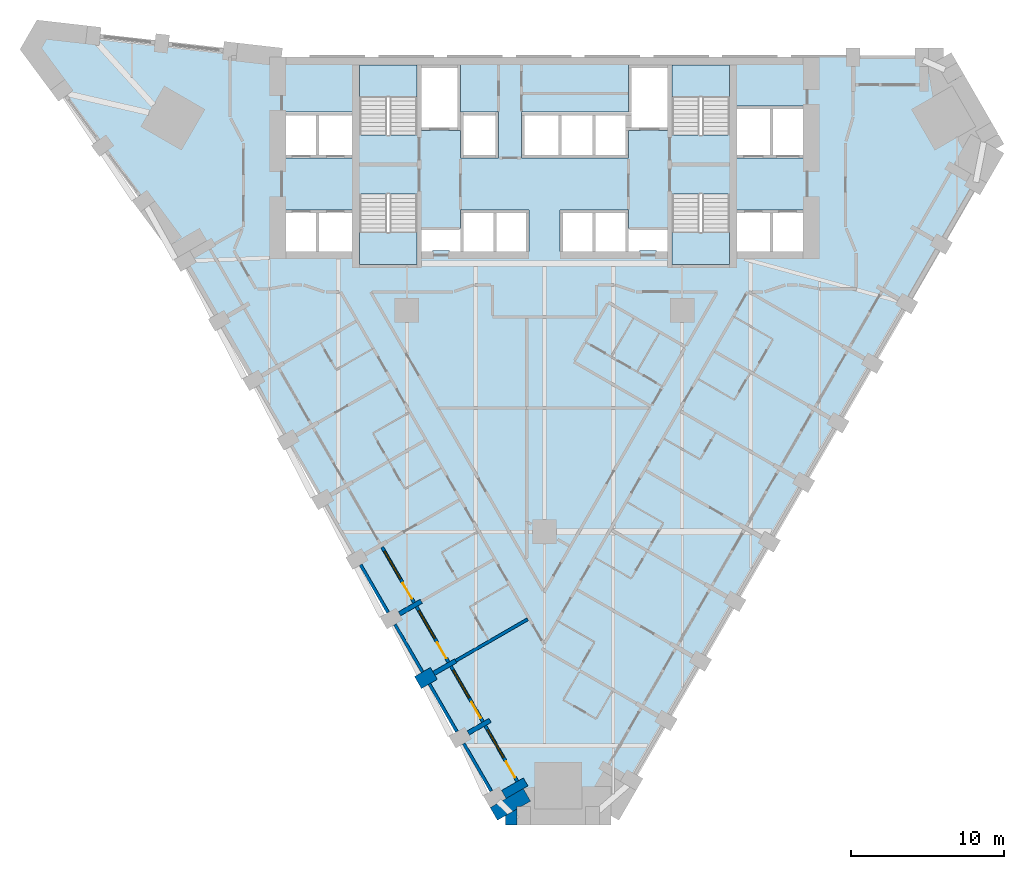
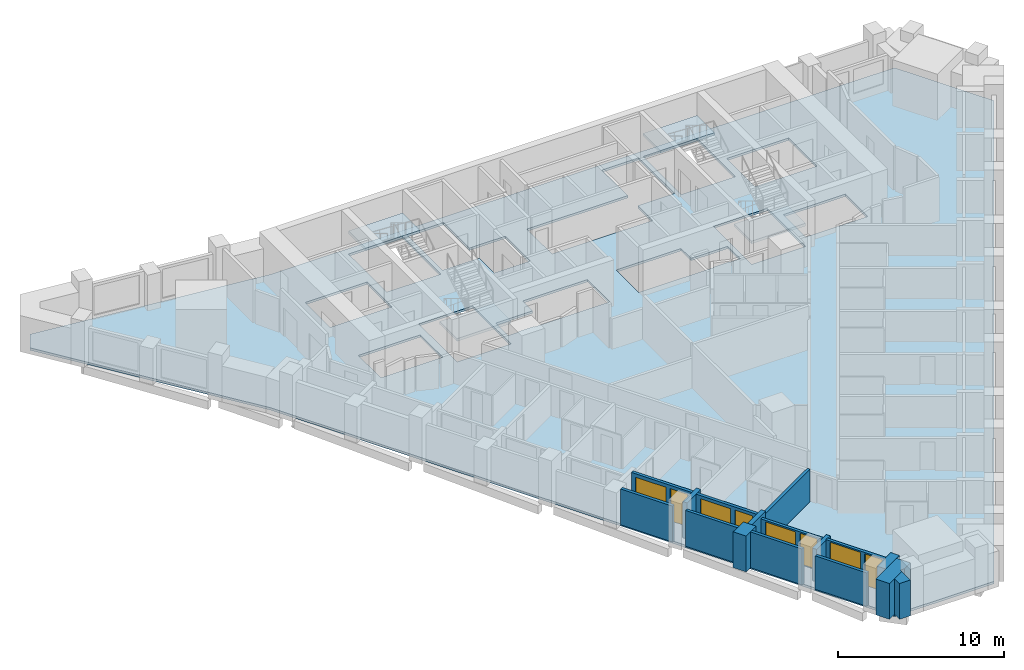
# One storey, part 2 of 12: 16 walls, 5 slabs, 4 doors, 4 windows, 8 openings, 4 elements without a shape of their own.
"""IFC4 building model written with IfcOpenShell, lengths in metres."""

from ifc_helpers import new_model, si_unit, direction, frame, frame_2d, origin, place, context, subcontext, project, spatial, polyline, rectangle, outline, extrude, material, layer, layer_set, type_object, element, fill, aggregate, save


model = new_model("IFC4")

# Units and contexts
model_context = context("Model", 3, precision=1e-05, world=origin(), true_north=direction((0.0, 1.0)))
body_context = subcontext(model_context, "Body", "Model", "MODEL_VIEW")
ifc_project = project(units=[si_unit("LENGTHUNIT", "METRE"), si_unit("AREAUNIT", "SQUARE_METRE"), si_unit("VOLUMEUNIT", "CUBIC_METRE"), si_unit("PLANEANGLEUNIT", "RADIAN"), si_unit("MASSUNIT", "GRAM", prefix="KILO")], contexts=[model_context])

# Site, building, storey
site_placement = place(None, origin())
site = spatial("IfcSite", under=ifc_project, at=site_placement, CompositionType="ELEMENT")
building_placement = place(site_placement, origin())
building = spatial("IfcBuilding", under=site, at=building_placement, Name="Calabash Gate Tower", CompositionType="ELEMENT")
storey_placement = place(building_placement, frame((0.0, 0.0, 76.60009765625)))
storey = spatial("IfcBuildingStorey", under=building, at=storey_placement, Name="L15", CompositionType="ELEMENT", Elevation=76.60009765625)

# Slab
ifc_material_1 = material(Name="Concrete C40/50", Category="concrete")
ifc_layer_1 = layer(ifc_material_1, 0.169921875)
ifc_layer_set_1 = layer_set([ifc_layer_1], Name="Composite floor slab 170 Concrete C40/50")
slab_type_1 = type_object("IfcSlabType", Name="Composite floor slab 170 Concrete C40/50", PredefinedType="FLOOR", material=ifc_layer_set_1)
slab_1_placement = place(storey_placement, frame((0.0, 0.0, -0.170166015625)))
element("IfcSlab", 1, at=slab_1_placement, inside=storey, type_object=slab_type_1, Name="Floor slab L15", PredefinedType="FLOOR", context=body_context, shape_type="SweptSolid", body=[
    extrude(outline(polyline([(-24.2099609375, 6.92822265625), (-33.6025390625, 19.606201171875), (-32.8857421875, 20.84765625), (-17.2099609375, 19.052490234375), (26.09375, 19.052490234375), (29.546875, 13.071533203125), (4.34814453125, -30.573974609375), (-2.55810546875, -30.573974609375), (-24.2099609375, 6.92822265625)]), holes=[polyline([(-5.5, 9.052490234375), (-5.5, 7.8525390625), (-8.050048828125, 7.8525390625), (-8.050048828125, 6.3525390625), (-7.324951171875, 6.3525390625), (-7.324951171875, 6.402587890625), (-6.22509765625, 6.402587890625), (-6.22509765625, 6.3525390625), (-5.5, 6.3525390625), (-3.25, 6.3525390625), (-1.0, 6.3525390625), (-1.0, 9.052490234375), (-3.25, 9.052490234375), (-5.5, 9.052490234375)]), polyline([(5.5, 9.052490234375), (3.25, 9.052490234375), (1.0, 9.052490234375), (1.0, 6.3525390625), (3.25, 6.3525390625), (5.5, 6.3525390625), (6.22509765625, 6.3525390625), (6.22509765625, 6.402587890625), (7.324951171875, 6.402587890625), (7.324951171875, 6.3525390625), (8.050048828125, 6.3525390625), (8.050048828125, 7.8525390625), (5.5, 7.8525390625), (5.5, 9.052490234375)]), polyline([(-5.5, 14.252685546875), (-5.5, 12.45263671875), (-3.0, 12.45263671875), (-3.0, 15.45263671875), (-5.5, 15.45263671875), (-5.5, 18.552490234375), (-8.050048828125, 18.552490234375), (-8.050048828125, 14.252685546875), (-5.5, 14.252685546875)]), polyline([(8.050048828125, 18.552490234375), (5.5, 18.552490234375), (5.5, 15.45263671875), (3.25, 15.45263671875), (1.0, 15.45263671875), (-1.5, 15.45263671875), (-1.5, 12.45263671875), (1.0, 12.45263671875), (3.25, 12.45263671875), (5.5, 12.45263671875), (5.5, 14.252685546875), (8.050048828125, 14.252685546875), (8.050048828125, 18.552490234375)]), polyline([(-12.60009765625, 6.3525390625), (-12.60009765625, 9.052490234375), (-14.85009765625, 9.052490234375), (-16.89990234375, 9.052490234375), (-16.89990234375, 6.3525390625), (-14.85009765625, 6.3525390625), (-12.60009765625, 6.3525390625)]), polyline([(-14.85009765625, 12.45263671875), (-12.60009765625, 12.45263671875), (-12.60009765625, 15.45263671875), (-14.85009765625, 15.45263671875), (-16.89990234375, 15.45263671875), (-16.89990234375, 12.45263671875), (-14.85009765625, 12.45263671875)]), polyline([(14.85009765625, 6.3525390625), (16.89990234375, 6.3525390625), (16.89990234375, 9.052490234375), (14.85009765625, 9.052490234375), (12.60009765625, 9.052490234375), (12.60009765625, 6.3525390625), (14.85009765625, 6.3525390625)]), polyline([(14.85009765625, 12.45263671875), (16.89990234375, 12.45263671875), (16.89990234375, 15.8525390625), (14.85009765625, 15.8525390625), (12.60009765625, 15.8525390625), (12.60009765625, 12.45263671875), (14.85009765625, 12.45263671875)]), polyline([(-8.35009765625, 18.552490234375), (-12.10009765625, 18.552490234375), (-12.10009765625, 13.95263671875), (-8.35009765625, 13.95263671875), (-8.35009765625, 18.552490234375)]), polyline([(-12.10009765625, 10.1025390625), (-12.10009765625, 5.502685546875), (-8.35009765625, 5.502685546875), (-8.35009765625, 10.1025390625), (-12.10009765625, 10.1025390625)]), polyline([(8.35009765625, 13.95263671875), (12.10009765625, 13.95263671875), (12.10009765625, 18.552490234375), (8.35009765625, 18.552490234375), (8.35009765625, 13.95263671875)]), polyline([(12.10009765625, 5.502685546875), (12.10009765625, 10.1025390625), (8.35009765625, 10.1025390625), (8.35009765625, 5.502685546875), (12.10009765625, 5.502685546875)])]), origin(), (0.0, 0.0, 1.0), 0.170166015625),
])

# Stair, slab
ifc_material_2 = material(Name="Concrete C40/50", Category="concrete")
stair_type = type_object("IfcStairType", Name="Exit stair 20 risers of 170 mm", PredefinedType="HALF_TURN_STAIR", material=ifc_material_2)
stair_1_placement = place(storey_placement, origin())
stair_1 = element("IfcStair", 2, at=stair_1_placement, inside=storey, type_object=stair_type, Name="L15 Exit stair ST1", PredefinedType="HALF_TURN_STAIR")
ifc_material_3 = material(Name="Concrete C40/50", Category="concrete")
ifc_layer_2 = layer(ifc_material_3, 0.199951171875)
ifc_layer_set_2 = layer_set([ifc_layer_2], Name="Stair landing SL200")
slab_type_2 = type_object("IfcSlabType", Name="Stair landing SL200", PredefinedType="LANDING", material=ifc_layer_set_2)
slab_2_placement = place(storey_placement, frame((0.0, 0.0, 1.5)))
slab_2 = element("IfcSlab", 3, at=slab_2_placement, type_object=slab_type_2, Name="ST1 landing 1", PredefinedType="LANDING", context=body_context, shape_type="SweptSolid", body=[
    extrude(outline(polyline([(-8.35009765625, 16.463623046875), (-8.35009765625, 18.552490234375), (-12.10009765625, 18.552490234375), (-12.10009765625, 16.463623046875), (-8.35009765625, 16.463623046875)])), origin(), (0.0, 0.0, 1.0), 0.199951171875),
])
aggregate(stair_1, [slab_2])

stair_2_placement = place(storey_placement, origin())
stair_2 = element("IfcStair", 4, at=stair_2_placement, inside=storey, type_object=stair_type, Name="L15 Exit stair ST2", PredefinedType="HALF_TURN_STAIR")
slab_3_placement = place(storey_placement, frame((0.0, 0.0, 1.5)))
slab_3 = element("IfcSlab", 5, at=slab_3_placement, type_object=slab_type_2, Name="ST2 landing 1", PredefinedType="LANDING", context=body_context, shape_type="SweptSolid", body=[
    extrude(outline(polyline([(-12.10009765625, 7.591552734375), (-12.10009765625, 5.502685546875), (-8.35009765625, 5.502685546875), (-8.35009765625, 7.591552734375), (-12.10009765625, 7.591552734375)])), origin(), (0.0, 0.0, 1.0), 0.199951171875),
])
aggregate(stair_2, [slab_3])

stair_3_placement = place(storey_placement, origin())
stair_3 = element("IfcStair", 6, at=stair_3_placement, inside=storey, type_object=stair_type, Name="L15 Exit stair ST3", PredefinedType="HALF_TURN_STAIR")
slab_4_placement = place(storey_placement, frame((0.0, 0.0, 1.5)))
slab_4 = element("IfcSlab", 7, at=slab_4_placement, type_object=slab_type_2, Name="ST3 landing 1", PredefinedType="LANDING", context=body_context, shape_type="SweptSolid", body=[
    extrude(outline(polyline([(12.10009765625, 16.463623046875), (12.10009765625, 18.552490234375), (8.35009765625, 18.552490234375), (8.35009765625, 16.463623046875), (12.10009765625, 16.463623046875)])), origin(), (0.0, 0.0, 1.0), 0.199951171875),
])
aggregate(stair_3, [slab_4])

stair_4_placement = place(storey_placement, origin())
stair_4 = element("IfcStair", 8, at=stair_4_placement, inside=storey, type_object=stair_type, Name="L15 Exit stair ST4", PredefinedType="HALF_TURN_STAIR")
slab_5_placement = place(storey_placement, frame((0.0, 0.0, 1.5)))
slab_5 = element("IfcSlab", 9, at=slab_5_placement, type_object=slab_type_2, Name="ST4 landing 1", PredefinedType="LANDING", context=body_context, shape_type="SweptSolid", body=[
    extrude(outline(polyline([(8.35009765625, 7.591552734375), (8.35009765625, 5.502685546875), (12.10009765625, 5.502685546875), (12.10009765625, 7.591552734375), (8.35009765625, 7.591552734375)])), origin(), (0.0, 0.0, 1.0), 0.199951171875),
])
aggregate(stair_4, [slab_5])

# Walls
ifc_material_4 = material(Name="Terracotta brick masonry, exposed face", Category="masonry")
ifc_layer_3 = layer(ifc_material_4, 2.5)
ifc_layer_set_3 = layer_set([ifc_layer_3], Name="Brick corner mass wall 2500")
wall_type_1 = type_object("IfcWallType", Name="Brick corner mass wall 2500", PredefinedType="SOLIDWALL", material=ifc_layer_set_3)
wall_1_placement = place(storey_placement, origin())
element("IfcWall", 10, at=wall_1_placement, inside=storey, type_object=wall_type_1, Name="Brick corner pier S04 2a", PredefinedType="SOLIDWALL", context=body_context, shape_type="SweptSolid", body=[
    extrude(outline(polyline([(-0.912841796875, -29.6240234375), (-1.388671875, -28.799560546875), (-3.5537109375, -30.049560546875), (-3.077880859375, -30.8740234375), (-1.802978515625, -30.137939453125), (-1.802978515625, -29.97412109375), (-1.51904296875, -29.97412109375), (-0.912841796875, -29.6240234375)])), origin(), (0.0, 0.0, 1.0), 2.6298828125),
])
wall_2_placement = place(storey_placement, origin())
element("IfcWall", 11, at=wall_2_placement, inside=storey, type_object=wall_type_1, Name="Brick corner pier S04 2ba", PredefinedType="SOLIDWALL", context=body_context, shape_type="SweptSolid", body=[
    extrude(outline(polyline([(-2.55810546875, -30.573974609375), (-2.55810546875, -31.173828125), (-1.802978515625, -31.173828125), (-1.802978515625, -30.137939453125), (-2.55810546875, -30.573974609375)])), origin(), (0.0, 0.0, 1.0), 2.6298828125),
])
ifc_material_5 = material(Name="Terracotta brick masonry, exposed face", Category="masonry")
ifc_layer_4 = layer(ifc_material_5, 1.199951171875)
ifc_layer_set_4 = layer_set([ifc_layer_4], Name="Brick end wall 1200")
wall_type_2 = type_object("IfcWallType", Name="Brick end wall 1200", PredefinedType="SOLIDWALL", material=ifc_layer_set_4)
wall_3_placement = place(storey_placement, frame((-7.239501953125, -21.265625, 0.0), z_axis=(0.0, 0.0, 1.0), x_axis=(-0.866006032174, -0.500033551112, 0.0)))
element("IfcWall", 12, at=wall_3_placement, inside=storey, type_object=wall_type_2, Name="Brick pier S04 SW0.7", PredefinedType="SOLIDWALL", context=body_context, shape_type="SweptSolid", body=[
    extrude(rectangle(XDim=1.2001953125, YDim=0.89990234375, at=frame_2d((0.60009765625, 0.0))), origin(), (0.0, 0.0, 1.0), 2.6298828125),
])
ifc_material_6 = material(Name="Terracotta brick masonry, exposed face", Category="masonry")
ifc_layer_5 = layer(ifc_material_6, 0.300048828125)
ifc_layer_set_5 = layer_set([ifc_layer_5], Name="Brick loggia cheek wall 300")
wall_type_3 = type_object("IfcWallType", Name="Brick loggia cheek wall 300", PredefinedType="SOLIDWALL", material=ifc_layer_set_5)
wall_4_placement = place(storey_placement, frame((-9.489501953125, -17.36865234375, 0.0), z_axis=(0.0, 0.0, 1.0), x_axis=(0.865976140824, 0.500085316245, 0.0)))
element("IfcWall", 13, at=wall_4_placement, inside=storey, type_object=wall_type_3, Name="Loggia cheek S04 SW0.6", PredefinedType="SOLIDWALL", context=body_context, shape_type="SweptSolid", body=[
    extrude(rectangle(XDim=1.650146484375, YDim=0.300048828125, at=frame_2d((0.8251953125, 0.0))), origin(), (0.0, 0.0, 1.0), 2.64990234375),
])
wall_5_placement = place(storey_placement, frame((-5.810546875, -20.440673828125, 0.0), z_axis=(0.0, 0.0, 1.0), x_axis=(-0.866040211805, -0.499974350878, 0.0)))
element("IfcWall", 14, at=wall_5_placement, inside=storey, type_object=wall_type_3, Name="Loggia cheek S04 SW0.7", PredefinedType="SOLIDWALL", context=body_context, shape_type="SweptSolid", body=[
    extrude(rectangle(XDim=1.64990234375, YDim=0.300048828125, at=frame_2d((0.824951171875, 0.0))), origin(), (0.0, 0.0, 1.0), 2.6279296875),
])
wall_6_placement = place(storey_placement, frame((-3.560546875, -24.337890625, 0.0), z_axis=(0.0, 0.0, 1.0), x_axis=(-0.866040211805, -0.499974350878, 0.0)))
element("IfcWall", 15, at=wall_6_placement, inside=storey, type_object=wall_type_3, Name="Loggia cheek S04 SW0.8", PredefinedType="SOLIDWALL", context=body_context, shape_type="SweptSolid", body=[
    extrude(rectangle(XDim=1.64990234375, YDim=0.300048828125, at=frame_2d((0.824951171875, 0.0))), origin(), (0.0, 0.0, 1.0), 2.384033203125),
])
wall_7_placement = place(storey_placement, frame((-2.66455078125, -29.189697265625, 0.0), z_axis=(0.0, 0.0, 1.0), x_axis=(0.866040211805, 0.499974350878, 0.0)))
element("IfcWall", 16, at=wall_7_placement, inside=storey, type_object=wall_type_3, Name="Loggia cheek S04 SW0.9", PredefinedType="SOLIDWALL", context=body_context, shape_type="SweptSolid", body=[
    extrude(rectangle(XDim=1.64990234375, YDim=0.60009765625, at=frame_2d((0.824951171875, 0.0))), origin(), (0.0, 0.0, 1.0), 2.6298828125),
])
ifc_material_7 = material(Name="Gypsum board on steel studs, mineral wool", Category="steel")
ifc_layer_6 = layer(ifc_material_7, 0.199951171875)
ifc_layer_set_6 = layer_set([ifc_layer_6], Name="Partition 200 gypsum board EI 60")
wall_type_4 = type_object("IfcWallType", Name="Partition 200 gypsum board EI 60", PredefinedType="PARTITIONING", material=ifc_layer_set_6)
wall_8_placement = place(storey_placement, frame((-5.810302734375, -20.441162109375, 0.0), z_axis=(0.0, 0.0, 1.0), x_axis=(0.866020710281, 0.500008129298, 0.0)))
element("IfcWall", 17, at=wall_8_placement, inside=storey, type_object=wall_type_4, Name="Partition", PredefinedType="PARTITIONING", context=body_context, shape_type="SweptSolid", body=[
    extrude(rectangle(XDim=5.44970703125, YDim=0.199951171875, at=frame_2d((2.724853515625, 0.0))), origin(), (0.0, 0.0, 1.0), 2.384033203125),
])
ifc_material_8 = material(Name="Terracotta brick masonry, perforated", Category="masonry")
ifc_layer_7 = layer(ifc_material_8, 0.199951171875)
ifc_layer_set_7 = layer_set([ifc_layer_7], Name="Terracotta jaali screen B")
wall_type_5 = type_object("IfcWallType", Name="Terracotta jaali screen B", PredefinedType="SOLIDWALL", material=ifc_layer_set_7)
for number, where, z_axis, x_axis, name in (
    (18, (-12.0341796875, -14.1611328125, 0.0), (0.0, 0.0, 1.0), (0.500012057535, -0.866018442252, 0.0), "SCREEN B S04 SW0.6"),
    (19, (-9.7841796875, -18.058349609375, 0.0), (0.0, 0.0, 1.0), (0.500012057535, -0.866018442252, 0.0), "SCREEN B S04 SW0.7"),
    (20, (-7.5341796875, -21.955322265625, 0.0), (0.0, 0.0, 1.0), (0.500012057535, -0.866018442252, 0.0), "SCREEN B S04 SW0.8"),
):
    element("IfcWall", number, at=place(storey_placement, frame(where, z_axis=z_axis, x_axis=x_axis)), inside=storey, type_object=wall_type_5, Name=name, PredefinedType="SOLIDWALL", context=body_context, shape_type="SweptSolid", body=[
        extrude(rectangle(XDim=3.60009765625, YDim=0.199951171875, at=frame_2d((1.800048828125, 0.0))), origin(), (0.0, 0.0, 1.0), 2.6298828125),
    ])
wall_9_placement = place(storey_placement, frame((-5.2841796875, -25.8525390625, 0.0), z_axis=(0.0, 0.0, 1.0), x_axis=(0.500012057535, -0.866018442252, 0.0)))
element("IfcWall", 21, at=wall_9_placement, inside=storey, type_object=wall_type_5, Name="SCREEN B S04 SW0.9", PredefinedType="SOLIDWALL", context=body_context, shape_type="SweptSolid", body=[
    extrude(rectangle(XDim=3.60009765625, YDim=0.199951171875, at=frame_2d((1.800048828125, 0.0))), origin(), (0.0, 0.0, 1.0), 2.449951171875),
])

# Wall, openings, door, window
ifc_material_9 = material(Name="Aluminium framed window wall with insulated spandrel", Category="aluminium")
ifc_layer_8 = layer(ifc_material_9, 0.199951171875)
ifc_layer_set_8 = layer_set([ifc_layer_8], Name="Window wall 200")
wall_type_6 = type_object("IfcWallType", Name="Window wall 200", PredefinedType="ELEMENTEDWALL", material=ifc_layer_set_8)
wall_10_placement = place(storey_placement, frame((-10.625244140625, -13.001220703125, 0.0), z_axis=(0.0, 0.0, 1.0), x_axis=(0.499958946799, -0.866049104564, 0.0)))
wall_10 = element("IfcWall", 22, at=wall_10_placement, inside=storey, type_object=wall_type_6, Name="Window wall S04 SW0.6", PredefinedType="ELEMENTEDWALL", context=body_context, shape_type="SweptSolid", body=[
    extrude(rectangle(XDim=4.199951171875, YDim=0.199951171875, at=frame_2d((2.10009765625, 0.0))), origin(), (0.0, 0.0, 1.0), 2.64990234375),
])
opening_1_placement = place(wall_10_placement, frame((0.300048828125, 0.0, 0.60009765625)))
opening_1 = element("IfcOpeningElement", 23, at=opening_1_placement, cuts=wall_10, Name="Opening HW1", PredefinedType="OPENING", context=body_context, shape_type="SweptSolid", body=[
    extrude(rectangle(XDim=2.10009765625, YDim=1.800048828125, at=frame_2d((1.050048828125, 0.89990234375))), frame((0.0, 0.10986328125, 0.0), z_axis=(0.0, -1.0, 0.0), x_axis=(1.0, 0.0, 0.0)), (0.0, 0.0, 1.0), 0.219970703125),
])
opening_2_placement = place(wall_10_placement, frame((2.699951171875, 0.0, 0.0)))
opening_2 = element("IfcOpeningElement", 24, at=opening_2_placement, cuts=wall_10, Name="Opening H4-029", PredefinedType="OPENING", context=body_context, shape_type="SweptSolid", body=[
    extrude(rectangle(XDim=1.199951171875, YDim=2.39990234375, at=frame_2d((0.60009765625, 1.199951171875))), frame((0.0, 0.10986328125, 0.0), z_axis=(0.0, -1.0, 0.0), x_axis=(1.0, 0.0, 0.0)), (0.0, 0.0, 1.0), 0.219970703125),
])
ifc_material_10 = material(Name="Anodised aluminium frame, bronze finish, impact-rated laminated clear glazing", Category="aluminium")
door_type_1 = type_object("IfcDoorType", Name="Loggia door DH1 1200x2400", OperationType="SLIDING_TO_LEFT", PredefinedType="DOOR", material=ifc_material_10)
door_1_placement = place(opening_2_placement, origin())
door_1 = element("IfcDoor", 25, at=door_1_placement, inside=storey, type_object=door_type_1, Name="Loggia door S04 SW0.6", OperationType="SINGLE_SWING_LEFT", OverallHeight=2.39990234375, OverallWidth=1.199951171875, PredefinedType="DOOR", context=body_context, shape_type="SweptSolid", body=[
    extrude(rectangle(XDim=1.199951171875, YDim=2.39990234375, at=frame_2d((0.60009765625, 1.199951171875))), frame((0.0, 0.02490234375, 0.0), z_axis=(0.0, -1.0, 0.0), x_axis=(1.0, 0.0, 0.0)), (0.0, 0.0, 1.0), 0.050048828125),
])
fill(opening_2, door_1)
ifc_material_11 = material(Name="Anodised aluminium frame, bronze finish, impact-rated laminated clear glazing", Category="aluminium")
window_type_1 = type_object("IfcWindowType", Name="Window HW1 2100x1800", PartitioningType="DOUBLE_PANEL_VERTICAL", PredefinedType="WINDOW", material=ifc_material_11)
window_1_placement = place(opening_1_placement, origin())
window_1 = element("IfcWindow", 26, at=window_1_placement, inside=storey, type_object=window_type_1, Name="Window HW1 S04 SW0.6", OverallHeight=1.800048828125, OverallWidth=2.10009765625, PartitioningType="SINGLE_PANEL", PredefinedType="WINDOW", context=body_context, shape_type="SweptSolid", body=[
    extrude(rectangle(XDim=2.10009765625, YDim=1.800048828125, at=frame_2d((1.050048828125, 0.89990234375))), frame((0.0, 0.030029296875, 0.0), z_axis=(0.0, -1.0, 0.0), x_axis=(1.0, 0.0, 0.0)), (0.0, 0.0, 1.0), 0.06005859375),
])
fill(opening_1, window_1)

wall_11_placement = place(storey_placement, frame((-8.375244140625, -16.8984375, 0.0), z_axis=(0.0, 0.0, 1.0), x_axis=(0.49998411664, -0.866034573852, 0.0)))
wall_11 = element("IfcWall", 27, at=wall_11_placement, inside=storey, type_object=wall_type_6, Name="Window wall S04 SW0.7", PredefinedType="ELEMENTEDWALL", context=body_context, shape_type="SweptSolid", body=[
    extrude(rectangle(XDim=4.199951171875, YDim=0.199951171875, at=frame_2d((2.10009765625, 0.0))), origin(), (0.0, 0.0, 1.0), 2.6279296875),
])
opening_3_placement = place(wall_11_placement, frame((0.300048828125, 0.0, 0.60009765625)))
opening_3 = element("IfcOpeningElement", 28, at=opening_3_placement, cuts=wall_11, Name="Opening HW1", PredefinedType="OPENING", context=body_context, shape_type="SweptSolid", body=[
    extrude(rectangle(XDim=2.10009765625, YDim=1.800048828125, at=frame_2d((1.050048828125, 0.89990234375))), frame((0.0, 0.10986328125, 0.0), z_axis=(0.0, -1.0, 0.0), x_axis=(1.0, 0.0, 0.0)), (0.0, 0.0, 1.0), 0.219970703125),
])
opening_4_placement = place(wall_11_placement, frame((2.699951171875, 0.0, 0.0)))
opening_4 = element("IfcOpeningElement", 29, at=opening_4_placement, cuts=wall_11, Name="Opening H4-030", PredefinedType="OPENING", context=body_context, shape_type="SweptSolid", body=[
    extrude(rectangle(XDim=1.199951171875, YDim=2.39990234375, at=frame_2d((0.60009765625, 1.199951171875))), frame((0.0, 0.10986328125, 0.0), z_axis=(0.0, -1.0, 0.0), x_axis=(1.0, 0.0, 0.0)), (0.0, 0.0, 1.0), 0.219970703125),
])
door_2_placement = place(opening_4_placement, origin())
door_2 = element("IfcDoor", 30, at=door_2_placement, inside=storey, type_object=door_type_1, Name="Loggia door S04 SW0.7", OperationType="SINGLE_SWING_LEFT", OverallHeight=2.39990234375, OverallWidth=1.199951171875, PredefinedType="DOOR", context=body_context, shape_type="SweptSolid", body=[
    extrude(rectangle(XDim=1.199951171875, YDim=2.39990234375, at=frame_2d((0.60009765625, 1.199951171875))), frame((0.0, 0.02490234375, 0.0), z_axis=(0.0, -1.0, 0.0), x_axis=(1.0, 0.0, 0.0)), (0.0, 0.0, 1.0), 0.050048828125),
])
fill(opening_4, door_2)
window_2_placement = place(opening_3_placement, origin())
window_2 = element("IfcWindow", 31, at=window_2_placement, inside=storey, type_object=window_type_1, Name="Window HW1 S04 SW0.7", OverallHeight=1.800048828125, OverallWidth=2.10009765625, PartitioningType="SINGLE_PANEL", PredefinedType="WINDOW", context=body_context, shape_type="SweptSolid", body=[
    extrude(rectangle(XDim=2.10009765625, YDim=1.800048828125, at=frame_2d((1.050048828125, 0.89990234375))), frame((0.0, 0.030029296875, 0.0), z_axis=(0.0, -1.0, 0.0), x_axis=(1.0, 0.0, 0.0)), (0.0, 0.0, 1.0), 0.06005859375),
])
fill(opening_3, window_2)

wall_12_placement = place(storey_placement, frame((-6.125244140625, -20.795654296875, 0.0), z_axis=(0.0, 0.0, 1.0), x_axis=(0.49998411664, -0.866034573852, 0.0)))
wall_12 = element("IfcWall", 32, at=wall_12_placement, inside=storey, type_object=wall_type_6, Name="Window wall S04 SW0.8", PredefinedType="ELEMENTEDWALL", context=body_context, shape_type="SweptSolid", body=[
    extrude(rectangle(XDim=4.199951171875, YDim=0.199951171875, at=frame_2d((2.10009765625, 0.0))), origin(), (0.0, 0.0, 1.0), 2.384033203125),
])
opening_5_placement = place(wall_12_placement, frame((0.300048828125, 0.0, 0.60009765625)))
opening_5 = element("IfcOpeningElement", 33, at=opening_5_placement, cuts=wall_12, Name="Opening HW1L-1680", PredefinedType="OPENING", context=body_context, shape_type="SweptSolid", body=[
    extrude(rectangle(XDim=2.10009765625, YDim=1.679931640625, at=frame_2d((1.050048828125, 0.83984375))), frame((0.0, 0.10986328125, 0.0), z_axis=(0.0, -1.0, 0.0), x_axis=(1.0, 0.0, 0.0)), (0.0, 0.0, 1.0), 0.219970703125),
])
opening_6_placement = place(wall_12_placement, frame((2.699951171875, 0.0, 0.0)))
opening_6 = element("IfcOpeningElement", 34, at=opening_6_placement, cuts=wall_12, Name="Opening H4-031", PredefinedType="OPENING", context=body_context, shape_type="SweptSolid", body=[
    extrude(rectangle(XDim=1.199951171875, YDim=2.280029296875, at=frame_2d((0.60009765625, 1.14013671875))), frame((0.0, 0.10986328125, 0.0), z_axis=(0.0, -1.0, 0.0), x_axis=(1.0, 0.0, 0.0)), (0.0, 0.0, 1.0), 0.219970703125),
])
ifc_material_12 = material(Name="Anodised aluminium frame, bronze finish, impact-rated laminated clear glazing", Category="aluminium")
door_type_2 = type_object("IfcDoorType", Name="Loggia door DH1L-2280 1200x2280", OperationType="SLIDING_TO_LEFT", PredefinedType="DOOR", material=ifc_material_12)
door_3_placement = place(opening_6_placement, origin())
door_3 = element("IfcDoor", 35, at=door_3_placement, inside=storey, type_object=door_type_2, Name="Loggia door S04 SW0.8", OperationType="SINGLE_SWING_LEFT", OverallHeight=2.280029296875, OverallWidth=1.199951171875, PredefinedType="DOOR", context=body_context, shape_type="SweptSolid", body=[
    extrude(rectangle(XDim=1.199951171875, YDim=2.280029296875, at=frame_2d((0.60009765625, 1.14013671875))), frame((0.0, 0.02490234375, 0.0), z_axis=(0.0, -1.0, 0.0), x_axis=(1.0, 0.0, 0.0)), (0.0, 0.0, 1.0), 0.050048828125),
])
fill(opening_6, door_3)
ifc_material_13 = material(Name="Anodised aluminium frame, bronze finish, impact-rated laminated clear glazing", Category="aluminium")
window_type_2 = type_object("IfcWindowType", Name="Window HW1L 2100x1680", PartitioningType="DOUBLE_PANEL_VERTICAL", PredefinedType="WINDOW", material=ifc_material_13)
window_3_placement = place(opening_5_placement, origin())
window_3 = element("IfcWindow", 36, at=window_3_placement, inside=storey, type_object=window_type_2, Name="Window HW1 S04 SW0.8", OverallHeight=1.679931640625, OverallWidth=2.10009765625, PartitioningType="SINGLE_PANEL", PredefinedType="WINDOW", context=body_context, shape_type="SweptSolid", body=[
    extrude(rectangle(XDim=2.10009765625, YDim=1.679931640625, at=frame_2d((1.050048828125, 0.83984375))), frame((0.0, 0.030029296875, 0.0), z_axis=(0.0, -1.0, 0.0), x_axis=(1.0, 0.0, 0.0)), (0.0, 0.0, 1.0), 0.06005859375),
])
fill(opening_5, window_3)

wall_13_placement = place(storey_placement, frame((-3.875244140625, -24.692626953125, 0.0), z_axis=(0.0, 0.0, 1.0), x_axis=(0.499958946799, -0.866049104564, 0.0)))
wall_13 = element("IfcWall", 37, at=wall_13_placement, inside=storey, type_object=wall_type_6, Name="Window wall S04 SW0.9", PredefinedType="ELEMENTEDWALL", context=body_context, shape_type="SweptSolid", body=[
    extrude(rectangle(XDim=4.199951171875, YDim=0.199951171875, at=frame_2d((2.10009765625, 0.0))), origin(), (0.0, 0.0, 1.0), 2.449951171875),
])
opening_7_placement = place(wall_13_placement, frame((0.300048828125, 0.0, 0.60009765625)))
opening_7 = element("IfcOpeningElement", 38, at=opening_7_placement, cuts=wall_13, Name="Opening HW1L-1750", PredefinedType="OPENING", context=body_context, shape_type="SweptSolid", body=[
    extrude(rectangle(XDim=2.10009765625, YDim=1.75, at=frame_2d((1.050048828125, 0.875))), frame((0.0, 0.10986328125, 0.0), z_axis=(0.0, -1.0, 0.0), x_axis=(1.0, 0.0, 0.0)), (0.0, 0.0, 1.0), 0.219970703125),
])
opening_8_placement = place(wall_13_placement, frame((2.699951171875, 0.0, 0.0)))
opening_8 = element("IfcOpeningElement", 39, at=opening_8_placement, cuts=wall_13, Name="Opening H4-032", PredefinedType="OPENING", context=body_context, shape_type="SweptSolid", body=[
    extrude(rectangle(XDim=1.199951171875, YDim=2.35009765625, at=frame_2d((0.60009765625, 1.175048828125))), frame((0.0, 0.10986328125, 0.0), z_axis=(0.0, -1.0, 0.0), x_axis=(1.0, 0.0, 0.0)), (0.0, 0.0, 1.0), 0.219970703125),
])
ifc_material_14 = material(Name="Anodised aluminium frame, bronze finish, impact-rated laminated clear glazing", Category="aluminium")
door_type_3 = type_object("IfcDoorType", Name="Loggia door DH1L-2350 1200x2350", OperationType="SLIDING_TO_LEFT", PredefinedType="DOOR", material=ifc_material_14)
door_4_placement = place(opening_8_placement, origin())
door_4 = element("IfcDoor", 40, at=door_4_placement, inside=storey, type_object=door_type_3, Name="Loggia door S04 SW0.9", OperationType="SINGLE_SWING_LEFT", OverallHeight=2.35009765625, OverallWidth=1.199951171875, PredefinedType="DOOR", context=body_context, shape_type="SweptSolid", body=[
    extrude(rectangle(XDim=1.199951171875, YDim=2.35009765625, at=frame_2d((0.60009765625, 1.175048828125))), frame((0.0, 0.02490234375, 0.0), z_axis=(0.0, -1.0, 0.0), x_axis=(1.0, 0.0, 0.0)), (0.0, 0.0, 1.0), 0.050048828125),
])
fill(opening_8, door_4)
ifc_material_15 = material(Name="Anodised aluminium frame, bronze finish, impact-rated laminated clear glazing", Category="aluminium")
window_type_3 = type_object("IfcWindowType", Name="Window HW1L 2100x1750", PartitioningType="DOUBLE_PANEL_VERTICAL", PredefinedType="WINDOW", material=ifc_material_15)
window_4_placement = place(opening_7_placement, origin())
window_4 = element("IfcWindow", 41, at=window_4_placement, inside=storey, type_object=window_type_3, Name="Window HW1 S04 SW0.9", OverallHeight=1.75, OverallWidth=2.10009765625, PartitioningType="SINGLE_PANEL", PredefinedType="WINDOW", context=body_context, shape_type="SweptSolid", body=[
    extrude(rectangle(XDim=2.10009765625, YDim=1.75, at=frame_2d((1.050048828125, 0.875))), frame((0.0, 0.030029296875, 0.0), z_axis=(0.0, -1.0, 0.0), x_axis=(1.0, 0.0, 0.0)), (0.0, 0.0, 1.0), 0.06005859375),
])
fill(opening_7, window_4)

save(model, "model.ifc")
